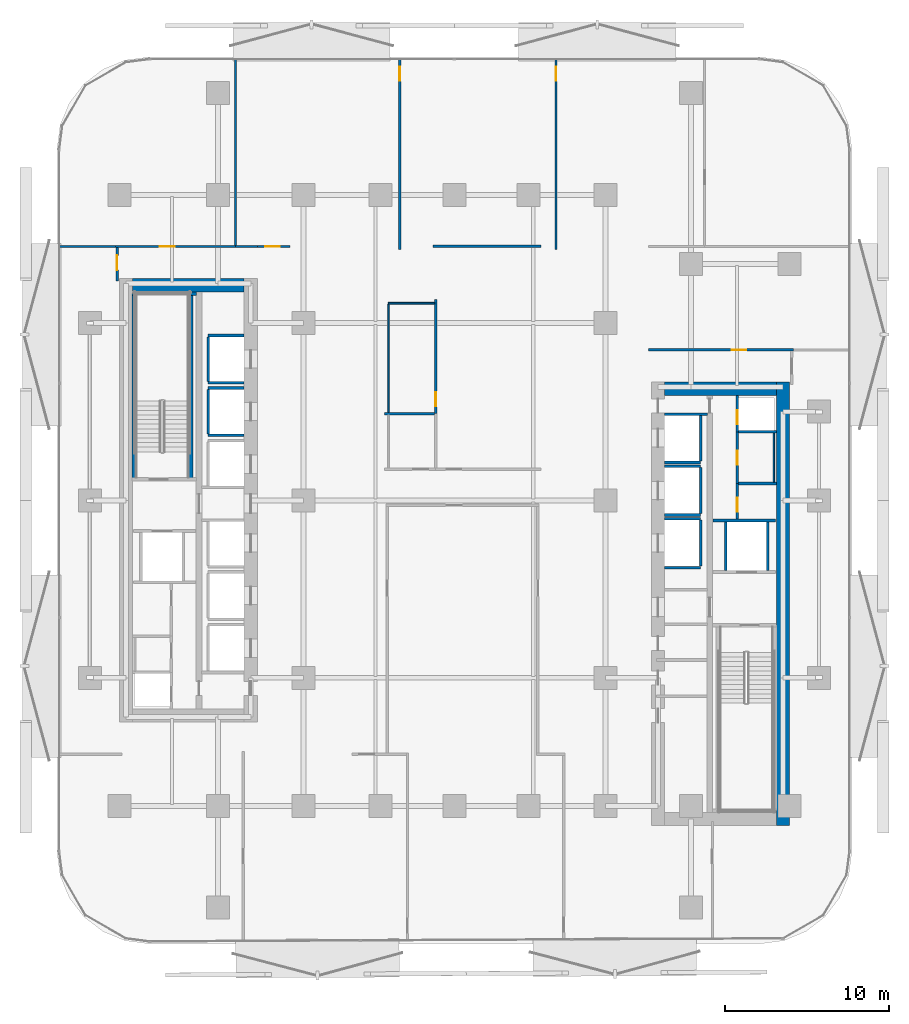
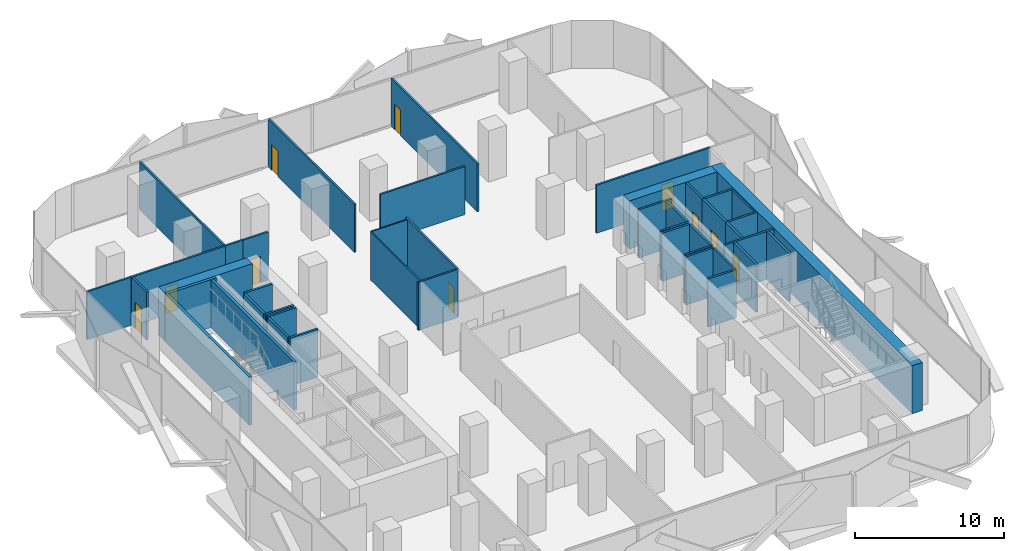
# One storey, part 5 of 15: 44 walls, 10 doors, 10 openings.
"""IFC4 building model written with IfcOpenShell, lengths in metres."""

from ifc_helpers import new_model, si_unit, direction, frame, frame_2d, origin, place, context, subcontext, project, spatial, rectangle, extrude, material, layer, layer_set, type_object, element, fill, save


model = new_model("IFC4")

# Units and contexts
model_context = context("Model", 3, precision=1e-05, world=origin(), true_north=direction((0.0, 1.0)))
body_context = subcontext(model_context, "Body", "Model", "MODEL_VIEW")
ifc_project = project(units=[si_unit("LENGTHUNIT", "METRE"), si_unit("AREAUNIT", "SQUARE_METRE"), si_unit("VOLUMEUNIT", "CUBIC_METRE"), si_unit("PLANEANGLEUNIT", "RADIAN"), si_unit("MASSUNIT", "GRAM", prefix="KILO")], contexts=[model_context])

# Site, building, storey
site_placement = place(None, origin())
site = spatial("IfcSite", under=ifc_project, at=site_placement, CompositionType="ELEMENT")
building_placement = place(site_placement, origin())
building = spatial("IfcBuilding", under=site, at=building_placement, Name="Khairoan Windgate Tower", CompositionType="ELEMENT")
storey_placement = place(building_placement, frame((0.0, 0.0, 76.39990234375)))
storey = spatial("IfcBuildingStorey", under=building, at=storey_placement, Name="L18", CompositionType="ELEMENT", Elevation=76.39990234375)

# Walls
ifc_material_1 = material(Name="Moisture-Resistant Gypsum Partition", Category="gypsum")
ifc_layer_1 = layer(ifc_material_1, 0.10009765625, Name="Moisture-Resistant Gypsum Partition")
ifc_layer_set_1 = layer_set([ifc_layer_1], Name="Moisture-Resistant Gypsum Partition")
wall_type_1 = type_object("IfcWallType", Name="Bathroom Wet-Area Partition Wall", PredefinedType="PARTITIONING", material=ifc_layer_set_1)
wall_1_placement = place(storey_placement, frame((19.449951171875, 4.090087890625, 0.0), z_axis=(0.0, 0.0, 1.0), x_axis=(0.0, -1.0, 0.0)))
element("IfcWall", 1, at=wall_1_placement, inside=storey, type_object=wall_type_1, Name="L18 Wet Room Side Wall 044", PredefinedType="PARTITIONING", context=body_context, shape_type="SweptSolid", body=[
    extrude(rectangle(XDim=2.97998046875, YDim=0.10009765625, at=frame_2d((1.489990234375, 0.0))), origin(), (0.0, 0.0, 1.0), 3.940185546875),
])
wall_2_placement = place(storey_placement, frame((-4.02001953125, 12.0, 0.0), z_axis=(0.0, 0.0, 1.0), x_axis=(1.0, 0.0, 0.0)))
element("IfcWall", 2, at=wall_2_placement, inside=storey, type_object=wall_type_1, Name="L18 Wet Room Side Wall 046", PredefinedType="PARTITIONING", context=body_context, shape_type="SweptSolid", body=[
    extrude(rectangle(XDim=2.81005859375, YDim=0.10009765625, at=frame_2d((1.405029296875, 0.0))), origin(), (0.0, 0.0, 1.0), 3.940185546875),
])
wall_3_placement = place(storey_placement, frame((-4.02001953125, 5.35009765625, 0.0), z_axis=(0.0, 0.0, 1.0), x_axis=(0.0, 1.0, 0.0)))
element("IfcWall", 3, at=wall_3_placement, inside=storey, type_object=wall_type_1, Name="L18 Wet Room Side Wall 047", PredefinedType="PARTITIONING", context=body_context, shape_type="SweptSolid", body=[
    extrude(rectangle(XDim=6.599853515625, YDim=0.10009765625, at=frame_2d((3.2998046875, 0.0))), origin(), (0.0, 0.0, 1.0), 3.940185546875),
])
ifc_material_2 = material(Name="Concrete C40/50", Category="concrete")
ifc_layer_2 = layer(ifc_material_2, 0.159912109375, Name="Concrete C40/50")
ifc_layer_set_2 = layer_set([ifc_layer_2], Name="Concrete C40/50")
wall_type_2 = type_object("IfcWallType", Name="Core and Hoistway Enclosure Wall", PredefinedType="STANDARD", material=ifc_layer_set_2)
for number, where, z_axis, x_axis, name in (
    (4, (-14.989990234375, 7.159912109375, 0.0), (0.0, 0.0, 1.0), (1.0, 0.0, 0.0), "L18 Lift PL1 Hoistway Divider S"),
    (5, (-14.989990234375, 10.0400390625, 0.0), (0.0, 0.0, 1.0), (1.0, 0.0, 0.0), "L18 Lift PL1 Hoistway Divider N"),
):
    element("IfcWall", number, at=place(storey_placement, frame(where, z_axis=z_axis, x_axis=x_axis)), inside=storey, type_object=wall_type_2, Name=name, PredefinedType="STANDARD", context=body_context, shape_type="SweptSolid", body=[
        extrude(rectangle(XDim=2.18994140625, YDim=0.159912109375, at=frame_2d((1.094970703125, 0.0))), origin(), (0.0, 0.0, 1.0), 3.940185546875),
    ])
wall_4_placement = place(storey_placement, frame((-14.989990234375, 7.25, 0.0), z_axis=(0.0, 0.0, 1.0), x_axis=(0.0, 1.0, 0.0)))
element("IfcWall", 6, at=wall_4_placement, inside=storey, type_object=wall_type_2, Name="L18 Lift PL1 Hoistway Back Wall", PredefinedType="STANDARD", context=body_context, shape_type="SweptSolid", body=[
    extrude(rectangle(XDim=2.699951171875, YDim=0.159912109375, at=frame_2d((1.35009765625, 0.0))), origin(), (0.0, 0.0, 1.0), 3.940185546875),
])
for number, where, z_axis, x_axis, name in (
    (7, (-14.989990234375, 3.9599609375, 0.0), (0.0, 0.0, 1.0), (1.0, 0.0, 0.0), "L18 Lift PL2 Hoistway Divider S"),
    (8, (-14.989990234375, 6.840087890625, 0.0), (0.0, 0.0, 1.0), (1.0, 0.0, 0.0), "L18 Lift PL2 Hoistway Divider N"),
):
    element("IfcWall", number, at=place(storey_placement, frame(where, z_axis=z_axis, x_axis=x_axis)), inside=storey, type_object=wall_type_2, Name=name, PredefinedType="STANDARD", context=body_context, shape_type="SweptSolid", body=[
        extrude(rectangle(XDim=2.18994140625, YDim=0.159912109375, at=frame_2d((1.094970703125, 0.0))), origin(), (0.0, 0.0, 1.0), 3.940185546875),
    ])
wall_5_placement = place(storey_placement, frame((-14.989990234375, 4.050048828125, 0.0), z_axis=(0.0, 0.0, 1.0), x_axis=(0.0, 1.0, 0.0)))
element("IfcWall", 9, at=wall_5_placement, inside=storey, type_object=wall_type_2, Name="L18 Lift PL2 Hoistway Back Wall", PredefinedType="STANDARD", context=body_context, shape_type="SweptSolid", body=[
    extrude(rectangle(XDim=2.699951171875, YDim=0.159912109375, at=frame_2d((1.35009765625, 0.0))), origin(), (0.0, 0.0, 1.0), 3.940185546875),
])
wall_6_placement = place(storey_placement, frame((12.800048828125, 2.31005859375, 0.0), z_axis=(0.0, 0.0, 1.0), x_axis=(1.0, 0.0, 0.0)))
element("IfcWall", 10, at=wall_6_placement, inside=storey, type_object=wall_type_2, Name="L18 Lift PL7 Hoistway Divider S", PredefinedType="STANDARD", context=body_context, shape_type="SweptSolid", body=[
    extrude(rectangle(XDim=2.18994140625, YDim=0.159912109375, at=frame_2d((1.094970703125, 0.0))), origin(), (0.0, 0.0, 1.0), 3.940185546875),
])
wall_7_placement = place(storey_placement, frame((14.989990234375, 2.39990234375, 0.0), z_axis=(0.0, 0.0, 1.0), x_axis=(0.0, 1.0, 0.0)))
element("IfcWall", 11, at=wall_7_placement, inside=storey, type_object=wall_type_2, Name="L18 Lift PL7 Hoistway Back Wall", PredefinedType="STANDARD", context=body_context, shape_type="SweptSolid", body=[
    extrude(rectangle(XDim=2.800048828125, YDim=0.159912109375, at=frame_2d((1.39990234375, 0.0))), origin(), (0.0, 0.0, 1.0), 3.940185546875),
])
for number, where, z_axis, x_axis, name in (
    (12, (12.800048828125, -0.889892578125, 0.0), (0.0, 0.0, 1.0), (1.0, 0.0, 0.0), "L18 Lift PL8 Hoistway Divider S"),
    (13, (12.800048828125, 2.090087890625, 0.0), (0.0, 0.0, 1.0), (1.0, 0.0, 0.0), "L18 Lift PL8 Hoistway Divider N"),
):
    element("IfcWall", number, at=place(storey_placement, frame(where, z_axis=z_axis, x_axis=x_axis)), inside=storey, type_object=wall_type_2, Name=name, PredefinedType="STANDARD", context=body_context, shape_type="SweptSolid", body=[
        extrude(rectangle(XDim=2.18994140625, YDim=0.159912109375, at=frame_2d((1.094970703125, 0.0))), origin(), (0.0, 0.0, 1.0), 3.940185546875),
    ])
wall_8_placement = place(storey_placement, frame((14.989990234375, -0.800048828125, 0.0), z_axis=(0.0, 0.0, 1.0), x_axis=(0.0, 1.0, 0.0)))
element("IfcWall", 14, at=wall_8_placement, inside=storey, type_object=wall_type_2, Name="L18 Lift PL8 Hoistway Back Wall", PredefinedType="STANDARD", context=body_context, shape_type="SweptSolid", body=[
    extrude(rectangle(XDim=2.800048828125, YDim=0.159912109375, at=frame_2d((1.39990234375, 0.0))), origin(), (0.0, 0.0, 1.0), 3.940185546875),
])
for number, where, z_axis, x_axis, name in (
    (15, (12.800048828125, -4.090087890625, 0.0), (0.0, 0.0, 1.0), (1.0, 0.0, 0.0), "L18 Lift PL9 Hoistway Divider S"),
    (16, (12.800048828125, -1.110107421875, 0.0), (0.0, 0.0, 1.0), (1.0, 0.0, 0.0), "L18 Lift PL9 Hoistway Divider N"),
):
    element("IfcWall", number, at=place(storey_placement, frame(where, z_axis=z_axis, x_axis=x_axis)), inside=storey, type_object=wall_type_2, Name=name, PredefinedType="STANDARD", context=body_context, shape_type="SweptSolid", body=[
        extrude(rectangle(XDim=2.18994140625, YDim=0.159912109375, at=frame_2d((1.094970703125, 0.0))), origin(), (0.0, 0.0, 1.0), 3.940185546875),
    ])
wall_9_placement = place(storey_placement, frame((14.989990234375, -4.0, 0.0), z_axis=(0.0, 0.0, 1.0), x_axis=(0.0, 1.0, 0.0)))
element("IfcWall", 17, at=wall_9_placement, inside=storey, type_object=wall_type_2, Name="L18 Lift PL9 Hoistway Back Wall", PredefinedType="STANDARD", context=body_context, shape_type="SweptSolid", body=[
    extrude(rectangle(XDim=2.800048828125, YDim=0.159912109375, at=frame_2d((1.39990234375, 0.0))), origin(), (0.0, 0.0, 1.0), 3.940185546875),
])
wall_10_placement = place(storey_placement, frame((15.75, -1.219970703125, 0.0), z_axis=(0.0, 0.0, 1.0), x_axis=(1.0, 0.0, 0.0)))
element("IfcWall", 18, at=wall_10_placement, inside=storey, type_object=wall_type_2, Name="L18 Core Shaft Wall SW-FL1T-L18", PredefinedType="STANDARD", context=body_context, shape_type="SweptSolid", body=[
    extrude(rectangle(XDim=3.800048828125, YDim=0.159912109375, at=frame_2d((1.89990234375, 0.0))), origin(), (0.0, 0.0, 1.0), 3.940185546875),
])
for number, where, z_axis, x_axis, name in (
    (19, (16.52001953125, -4.280029296875, 0.0), (0.0, 0.0, 1.0), (0.0, 1.0, 0.0), "L18 Core Shaft Wall SW-FL1W-L18"),
    (20, (19.080078125, -4.280029296875, 0.0), (0.0, 0.0, 1.0), (0.0, 1.0, 0.0), "L18 Core Shaft Wall SW-FL1E-L18"),
):
    element("IfcWall", number, at=place(storey_placement, frame(where, z_axis=z_axis, x_axis=x_axis)), inside=storey, type_object=wall_type_2, Name=name, PredefinedType="STANDARD", context=body_context, shape_type="SweptSolid", body=[
        extrude(rectangle(XDim=2.97998046875, YDim=0.159912109375, at=frame_2d((1.489990234375, 0.0))), origin(), (0.0, 0.0, 1.0), 3.940185546875),
    ])
wall_11_placement = place(storey_placement, frame((12.800048828125, 5.25, 0.0), z_axis=(0.0, 0.0, 1.0), x_axis=(1.0, 0.0, 0.0)))
element("IfcWall", 21, at=wall_11_placement, inside=storey, type_object=wall_type_2, Name="L18 Core Shaft Wall SW-ESV-L18", PredefinedType="STANDARD", context=body_context, shape_type="SweptSolid", body=[
    extrude(rectangle(XDim=2.599853515625, YDim=0.159912109375, at=frame_2d((1.2998046875, 0.0))), origin(), (0.0, 0.0, 1.0), 3.940185546875),
])
ifc_material_3 = material(Name="Acoustic Fire-Rated Gypsum Partition", Category="gypsum")
ifc_layer_3 = layer(ifc_material_3, 0.139892578125, Name="Acoustic Fire-Rated Gypsum Partition")
ifc_layer_set_3 = layer_set([ifc_layer_3], Name="Acoustic Fire-Rated Gypsum Partition")
wall_type_3 = type_object("IfcWallType", Name="Inter-Tenancy Compartment Wall", PredefinedType="PARTITIONING", material=ifc_layer_set_3)
wall_12_placement = place(storey_placement, frame((-24.054931640625, 15.4599609375, 0.0), z_axis=(0.0, 0.0, 1.0), x_axis=(1.0, 0.0, 0.0)))
element("IfcWall", 22, at=wall_12_placement, inside=storey, type_object=wall_type_3, Name="L18 Interior Partition 026", PredefinedType="PARTITIONING", context=body_context, shape_type="SweptSolid", body=[
    extrude(rectangle(XDim=3.4150390625, YDim=0.139892578125, at=frame_2d((1.70751953125, 0.0))), origin(), (0.0, 0.0, 1.0), 3.940185546875),
])
wall_13_placement = place(storey_placement, frame((-13.327880859375, 15.534912109375, 0.0), z_axis=(0.0, 0.0, 1.0), x_axis=(0.0, 1.0, 0.0)))
element("IfcWall", 23, at=wall_13_placement, inside=storey, type_object=wall_type_3, Name="L18 Interior Partition 031", PredefinedType="PARTITIONING", context=body_context, shape_type="SweptSolid", body=[
    extrude(rectangle(XDim=11.320068359375, YDim=0.139892578125, at=frame_2d((5.66015625, 0.0))), origin(), (0.0, 0.0, 1.0), 3.940185546875),
])

# Wall, opening, door
wall_14_placement = place(storey_placement, frame((-3.33203125, 15.280029296875, 0.0), z_axis=(0.0, 0.0, 1.0), x_axis=(0.0, 1.0, 0.0)))
wall_14 = element("IfcWall", 24, at=wall_14_placement, inside=storey, type_object=wall_type_3, Name="L18 Interior Partition 032", PredefinedType="PARTITIONING", context=body_context, shape_type="SweptSolid", body=[
    extrude(rectangle(XDim=11.574951171875, YDim=0.139892578125, at=frame_2d((5.78759765625, 0.0))), origin(), (0.0, 0.0, 1.0), 3.940185546875),
])
opening_1_placement = place(wall_14_placement, frame((10.264892578125, 0.0, 0.0)))
opening_1 = element("IfcOpeningElement", 25, at=opening_1_placement, cuts=wall_14, Name="Opening FD-SRV", PredefinedType="OPENING", context=body_context, shape_type="SweptSolid", body=[
    extrude(rectangle(XDim=0.85009765625, YDim=2.10009765625, at=frame_2d((0.425048828125, 1.050048828125))), frame((0.0, 0.079833984375, 0.0), z_axis=(0.0, -1.0, 0.0), x_axis=(1.0, 0.0, 0.0)), (0.0, 0.0, 1.0), 0.159912109375),
])
ifc_material_4 = material(Name="Steel S355", Category="steel")
door_type_1 = type_object("IfcDoorType", Name="Core Service and Riser Fire Door FD-SRV 850x2100", OperationType="NOTDEFINED", PredefinedType="DOOR", material=ifc_material_4)
door_1_placement = place(opening_1_placement, origin())
door_1 = element("IfcDoor", 26, at=door_1_placement, inside=storey, type_object=door_type_1, Name="L18 L18-42-L18-43 Door", OperationType="SINGLE_SWING_LEFT", OverallHeight=2.10009765625, OverallWidth=0.85009765625, PredefinedType="DOOR", context=body_context, shape_type="SweptSolid", body=[
    extrude(rectangle(XDim=0.85009765625, YDim=2.10009765625, at=frame_2d((0.425048828125, 1.050048828125))), frame((0.0, 0.02490234375, 0.0), z_axis=(0.0, -1.0, 0.0), x_axis=(1.0, 0.0, 0.0)), (0.0, 0.0, 1.0), 0.050048828125),
])
fill(opening_1, door_1)

wall_15_placement = place(storey_placement, frame((6.18798828125, 15.280029296875, 0.0), z_axis=(0.0, 0.0, 1.0), x_axis=(0.0, 1.0, 0.0)))
wall_15 = element("IfcWall", 27, at=wall_15_placement, inside=storey, type_object=wall_type_3, Name="L18 Interior Partition 033", PredefinedType="PARTITIONING", context=body_context, shape_type="SweptSolid", body=[
    extrude(rectangle(XDim=11.574951171875, YDim=0.139892578125, at=frame_2d((5.78759765625, 0.0))), origin(), (0.0, 0.0, 1.0), 3.940185546875),
])
opening_2_placement = place(wall_15_placement, frame((10.264892578125, 0.0, 0.0)))
opening_2 = element("IfcOpeningElement", 28, at=opening_2_placement, cuts=wall_15, Name="Opening FD-SRV", PredefinedType="OPENING", context=body_context, shape_type="SweptSolid", body=[
    extrude(rectangle(XDim=0.85009765625, YDim=2.10009765625, at=frame_2d((0.425048828125, 1.050048828125))), frame((0.0, 0.079833984375, 0.0), z_axis=(0.0, -1.0, 0.0), x_axis=(1.0, 0.0, 0.0)), (0.0, 0.0, 1.0), 0.159912109375),
])
door_2_placement = place(opening_2_placement, origin())
door_2 = element("IfcDoor", 29, at=door_2_placement, inside=storey, type_object=door_type_1, Name="L18 L18-43-L18-44 Door", OperationType="SINGLE_SWING_RIGHT", OverallHeight=2.10009765625, OverallWidth=0.85009765625, PredefinedType="DOOR", context=body_context, shape_type="SweptSolid", body=[
    extrude(rectangle(XDim=0.85009765625, YDim=2.10009765625, at=frame_2d((0.425048828125, 1.050048828125))), frame((0.0, 0.02490234375, 0.0), z_axis=(0.0, -1.0, 0.0), x_axis=(1.0, 0.0, 0.0)), (0.0, 0.0, 1.0), 0.050048828125),
])
fill(opening_2, door_2)

# Walls
wall_16_placement = place(storey_placement, frame((-1.300048828125, 15.47998046875, 0.0), z_axis=(0.0, 0.0, 1.0), x_axis=(1.0, 0.0, 0.0)))
element("IfcWall", 30, at=wall_16_placement, inside=storey, type_object=wall_type_3, Name="L18 Interior Partition 034", PredefinedType="PARTITIONING", context=body_context, shape_type="SweptSolid", body=[
    extrude(rectangle(XDim=6.56005859375, YDim=0.139892578125, at=frame_2d((3.280029296875, 0.0))), origin(), (0.0, 0.0, 1.0), 3.940185546875),
])
wall_17_placement = place(storey_placement, frame((-4.260009765625, 5.280029296875, 0.0), z_axis=(0.0, 0.0, 1.0), x_axis=(1.0, 0.0, 0.0)))
element("IfcWall", 31, at=wall_17_placement, inside=storey, type_object=wall_type_3, Name="L18 Interior Partition 040", PredefinedType="PARTITIONING", context=body_context, shape_type="SweptSolid", body=[
    extrude(rectangle(XDim=3.050048828125, YDim=0.139892578125, at=frame_2d((1.52490234375, 0.0))), origin(), (0.0, 0.0, 1.0), 3.940185546875),
])

# Wall, opening, door
wall_18_placement = place(storey_placement, frame((-1.139892578125, 5.280029296875, 0.0), z_axis=(0.0, 0.0, 1.0), x_axis=(0.0, 1.0, 0.0)))
wall_18 = element("IfcWall", 32, at=wall_18_placement, inside=storey, type_object=wall_type_3, Name="L18 Interior Partition 042", PredefinedType="PARTITIONING", context=body_context, shape_type="SweptSolid", body=[
    extrude(rectangle(XDim=6.9599609375, YDim=0.139892578125, at=frame_2d((3.47998046875, 0.0))), origin(), (0.0, 0.0, 1.0), 3.940185546875),
])
opening_3_placement = place(wall_18_placement, frame((0.4599609375, 0.0, 0.0)))
opening_3 = element("IfcOpeningElement", 33, at=opening_3_placement, cuts=wall_18, Name="Opening FD-SRV", PredefinedType="OPENING", context=body_context, shape_type="SweptSolid", body=[
    extrude(rectangle(XDim=0.85009765625, YDim=2.10009765625, at=frame_2d((0.425048828125, 1.050048828125))), frame((0.0, 0.079833984375, 0.0), z_axis=(0.0, -1.0, 0.0), x_axis=(1.0, 0.0, 0.0)), (0.0, 0.0, 1.0), 0.159912109375),
])
door_3_placement = place(opening_3_placement, origin())
door_3 = element("IfcDoor", 34, at=door_3_placement, inside=storey, type_object=door_type_1, Name="L18 L18-52-L18-53 Door", OperationType="SINGLE_SWING_RIGHT", OverallHeight=2.10009765625, OverallWidth=0.85009765625, PredefinedType="DOOR", context=body_context, shape_type="SweptSolid", body=[
    extrude(rectangle(XDim=0.85009765625, YDim=2.10009765625, at=frame_2d((0.425048828125, 1.050048828125))), frame((0.0, 0.02490234375, 0.0), z_axis=(0.0, -1.0, 0.0), x_axis=(1.0, 0.0, 0.0)), (0.0, 0.0, 1.0), 0.050048828125),
])
fill(opening_3, door_3)

ifc_material_5 = material(Name="Concrete C40/50", Category="concrete")
ifc_layer_4 = layer(ifc_material_5, 0.159912109375, Name="Concrete C40/50")
ifc_layer_set_4 = layer_set([ifc_layer_4], Name="Concrete C40/50")
wall_type_4 = type_object("IfcWallType", Name="Plant and Refuge Compartment Wall", PredefinedType="PARTITIONING", material=ifc_layer_set_4)
wall_19_placement = place(storey_placement, frame((17.22998046875, 4.169921875, 0.0), z_axis=(0.0, 0.0, 1.0), x_axis=(0.0, 1.0, 0.0)))
wall_19 = element("IfcWall", 35, at=wall_19_placement, inside=storey, type_object=wall_type_4, Name="L18 Interior Partition 006", PredefinedType="PARTITIONING", context=body_context, shape_type="SweptSolid", body=[
    extrude(rectangle(XDim=2.22998046875, YDim=0.159912109375, at=frame_2d((1.114990234375, 0.0))), origin(), (0.0, 0.0, 1.0), 3.940185546875),
])
opening_4_placement = place(wall_19_placement, frame((0.4599609375, 0.0, 0.0)))
opening_4 = element("IfcOpeningElement", 36, at=opening_4_placement, cuts=wall_19, Name="Opening FD-SRV", PredefinedType="OPENING", context=body_context, shape_type="SweptSolid", body=[
    extrude(rectangle(XDim=0.85009765625, YDim=2.10009765625, at=frame_2d((0.425048828125, 1.050048828125))), frame((0.0, 0.08984375, 0.0), z_axis=(0.0, -1.0, 0.0), x_axis=(1.0, 0.0, 0.0)), (0.0, 0.0, 1.0), 0.179931640625),
])
door_4_placement = place(opening_4_placement, origin())
door_4 = element("IfcDoor", 37, at=door_4_placement, inside=storey, type_object=door_type_1, Name="L18 L18-19-L18-20 Door", OperationType="SINGLE_SWING_LEFT", OverallHeight=2.10009765625, OverallWidth=0.85009765625, PredefinedType="DOOR", context=body_context, shape_type="SweptSolid", body=[
    extrude(rectangle(XDim=0.85009765625, YDim=2.10009765625, at=frame_2d((0.425048828125, 1.050048828125))), frame((0.0, 0.02490234375, 0.0), z_axis=(0.0, -1.0, 0.0), x_axis=(1.0, 0.0, 0.0)), (0.0, 0.0, 1.0), 0.050048828125),
])
fill(opening_4, door_4)

wall_20_placement = place(storey_placement, frame((17.22998046875, -1.139892578125, 0.0), z_axis=(0.0, 0.0, 1.0), x_axis=(0.0, 1.0, 0.0)))
wall_20 = element("IfcWall", 38, at=wall_20_placement, inside=storey, type_object=wall_type_4, Name="L18 Interior Partition 007", PredefinedType="PARTITIONING", context=body_context, shape_type="SweptSolid", body=[
    extrude(rectangle(XDim=2.169921875, YDim=0.159912109375, at=frame_2d((1.0849609375, 0.0))), origin(), (0.0, 0.0, 1.0), 3.940185546875),
])
opening_5_placement = place(wall_20_placement, frame((0.4599609375, 0.0, 0.0)))
opening_5 = element("IfcOpeningElement", 39, at=opening_5_placement, cuts=wall_20, Name="Opening FD-SRV", PredefinedType="OPENING", context=body_context, shape_type="SweptSolid", body=[
    extrude(rectangle(XDim=0.85009765625, YDim=2.10009765625, at=frame_2d((0.425048828125, 1.050048828125))), frame((0.0, 0.08984375, 0.0), z_axis=(0.0, -1.0, 0.0), x_axis=(1.0, 0.0, 0.0)), (0.0, 0.0, 1.0), 0.179931640625),
])
door_5_placement = place(opening_5_placement, origin())
door_5 = element("IfcDoor", 40, at=door_5_placement, inside=storey, type_object=door_type_1, Name="L18 L18-19-L18-21 Door", OperationType="SINGLE_SWING_RIGHT", OverallHeight=2.10009765625, OverallWidth=0.85009765625, PredefinedType="DOOR", context=body_context, shape_type="SweptSolid", body=[
    extrude(rectangle(XDim=0.85009765625, YDim=2.10009765625, at=frame_2d((0.425048828125, 1.050048828125))), frame((0.0, 0.02490234375, 0.0), z_axis=(0.0, -1.0, 0.0), x_axis=(1.0, 0.0, 0.0)), (0.0, 0.0, 1.0), 0.050048828125),
])
fill(opening_5, door_5)

wall_21_placement = place(storey_placement, frame((17.22998046875, 1.030029296875, 0.0), z_axis=(0.0, 0.0, 1.0), x_axis=(0.0, 1.0, 0.0)))
wall_21 = element("IfcWall", 41, at=wall_21_placement, inside=storey, type_object=wall_type_4, Name="L18 Interior Partition 008", PredefinedType="PARTITIONING", context=body_context, shape_type="SweptSolid", body=[
    extrude(rectangle(XDim=3.139892578125, YDim=0.159912109375, at=frame_2d((1.56982421875, 0.0))), origin(), (0.0, 0.0, 1.0), 3.940185546875),
])
opening_6_placement = place(wall_21_placement, frame((1.14501953125, 0.0, 0.0)))
opening_6 = element("IfcOpeningElement", 42, at=opening_6_placement, cuts=wall_21, Name="Opening FD-SRV", PredefinedType="OPENING", context=body_context, shape_type="SweptSolid", body=[
    extrude(rectangle(XDim=0.85009765625, YDim=2.10009765625, at=frame_2d((0.425048828125, 1.050048828125))), frame((0.0, 0.08984375, 0.0), z_axis=(0.0, -1.0, 0.0), x_axis=(1.0, 0.0, 0.0)), (0.0, 0.0, 1.0), 0.179931640625),
])
door_6_placement = place(opening_6_placement, origin())
door_6 = element("IfcDoor", 43, at=door_6_placement, inside=storey, type_object=door_type_1, Name="L18 L18-19-L18-22 Door", OperationType="SINGLE_SWING_LEFT", OverallHeight=2.10009765625, OverallWidth=0.85009765625, PredefinedType="DOOR", context=body_context, shape_type="SweptSolid", body=[
    extrude(rectangle(XDim=0.85009765625, YDim=2.10009765625, at=frame_2d((0.425048828125, 1.050048828125))), frame((0.0, 0.02490234375, 0.0), z_axis=(0.0, -1.0, 0.0), x_axis=(1.0, 0.0, 0.0)), (0.0, 0.0, 1.0), 0.050048828125),
])
fill(opening_6, door_6)

# Walls
for number, where, z_axis, x_axis, name in (
    (44, (17.31005859375, 4.169921875, 0.0), (0.0, 0.0, 1.0), (1.0, 0.0, 0.0), "L18 Interior Partition 009"),
    (45, (17.31005859375, 1.030029296875, 0.0), (0.0, 0.0, 1.0), (1.0, 0.0, 0.0), "L18 Interior Partition 010"),
):
    element("IfcWall", number, at=place(storey_placement, frame(where, z_axis=z_axis, x_axis=x_axis)), inside=storey, type_object=wall_type_4, Name=name, PredefinedType="PARTITIONING", context=body_context, shape_type="SweptSolid", body=[
        extrude(rectangle(XDim=2.2900390625, YDim=0.159912109375, at=frame_2d((1.14501953125, 0.0))), origin(), (0.0, 0.0, 1.0), 3.940185546875),
    ])

# Wall, opening, door
ifc_material_6 = material(Name="Acoustic Fire-Rated Gypsum Partition", Category="gypsum")
ifc_layer_5 = layer(ifc_material_6, 0.14990234375, Name="Acoustic Fire-Rated Gypsum Partition")
ifc_layer_set_5 = layer_set([ifc_layer_5], Name="Acoustic Fire-Rated Gypsum Partition")
wall_type_5 = type_object("IfcWallType", Name="Rated Corridor Partition Wall", PredefinedType="PARTITIONING", material=ifc_layer_set_5)
wall_22_placement = place(storey_placement, frame((-11.989990234375, 15.4599609375, 0.0), z_axis=(0.0, 0.0, 1.0), x_axis=(1.0, 0.0, 0.0)))
wall_22 = element("IfcWall", 46, at=wall_22_placement, inside=storey, type_object=wall_type_5, Name="L18 Interior Partition 013", PredefinedType="PARTITIONING", context=body_context, shape_type="SweptSolid", body=[
    extrude(rectangle(XDim=1.97998046875, YDim=0.14990234375, at=frame_2d((0.989990234375, 0.0))), origin(), (0.0, 0.0, 1.0), 3.940185546875),
])
opening_7_placement = place(wall_22_placement, frame((0.4599609375, 0.0, 0.0)))
opening_7 = element("IfcOpeningElement", 47, at=opening_7_placement, cuts=wall_22, Name="Opening FD-ENT", PredefinedType="OPENING", context=body_context, shape_type="SweptSolid", body=[
    extrude(rectangle(XDim=0.89990234375, YDim=2.14990234375, at=frame_2d((0.449951171875, 1.074951171875))), frame((0.0, 0.0849609375, 0.0), z_axis=(0.0, -1.0, 0.0), x_axis=(1.0, 0.0, 0.0)), (0.0, 0.0, 1.0), 0.169921875),
])
ifc_material_7 = material(Name="Timber Fire-Rated Core", Category="wood")
door_type_2 = type_object("IfcDoorType", Name="Unit and Office Fire Entrance Door FD-ENT 900x2150", OperationType="NOTDEFINED", PredefinedType="DOOR", material=ifc_material_7)
door_7_placement = place(opening_7_placement, origin())
door_7 = element("IfcDoor", 48, at=door_7_placement, inside=storey, type_object=door_type_2, Name="L18 L18-31-L18-42 Door", OperationType="SINGLE_SWING_RIGHT", OverallHeight=2.14990234375, OverallWidth=0.89990234375, PredefinedType="DOOR", context=body_context, shape_type="SweptSolid", body=[
    extrude(rectangle(XDim=0.89990234375, YDim=2.14990234375, at=frame_2d((0.449951171875, 1.074951171875))), frame((0.0, 0.02490234375, 0.0), z_axis=(0.0, -1.0, 0.0), x_axis=(1.0, 0.0, 0.0)), (0.0, 0.0, 1.0), 0.050048828125),
])
fill(opening_7, door_7)

wall_23_placement = place(storey_placement, frame((-20.5400390625, 13.360107421875, 0.0), z_axis=(0.0, 0.0, 1.0), x_axis=(0.0, 1.0, 0.0)))
wall_23 = element("IfcWall", 49, at=wall_23_placement, inside=storey, type_object=wall_type_5, Name="L18 Interior Partition 021", PredefinedType="PARTITIONING", context=body_context, shape_type="SweptSolid", body=[
    extrude(rectangle(XDim=2.02490234375, YDim=0.14990234375, at=frame_2d((1.012451171875, 0.0))), origin(), (0.0, 0.0, 1.0), 3.940185546875),
])
opening_8_placement = place(wall_23_placement, frame((0.6650390625, 0.0, 0.0)))
opening_8 = element("IfcOpeningElement", 50, at=opening_8_placement, cuts=wall_23, Name="Opening FD-ENT", PredefinedType="OPENING", context=body_context, shape_type="SweptSolid", body=[
    extrude(rectangle(XDim=0.89990234375, YDim=2.14990234375, at=frame_2d((0.449951171875, 1.074951171875))), frame((0.0, 0.0849609375, 0.0), z_axis=(0.0, -1.0, 0.0), x_axis=(1.0, 0.0, 0.0)), (0.0, 0.0, 1.0), 0.169921875),
])
door_8_placement = place(opening_8_placement, origin())
door_8 = element("IfcDoor", 51, at=door_8_placement, inside=storey, type_object=door_type_2, Name="L18 L18-36-L18-38 Door", OperationType="SINGLE_SWING_RIGHT", OverallHeight=2.14990234375, OverallWidth=0.89990234375, PredefinedType="DOOR", context=body_context, shape_type="SweptSolid", body=[
    extrude(rectangle(XDim=0.89990234375, YDim=2.14990234375, at=frame_2d((0.449951171875, 1.074951171875))), frame((0.0, 0.02490234375, 0.0), z_axis=(0.0, -1.0, 0.0), x_axis=(1.0, 0.0, 0.0)), (0.0, 0.0, 1.0), 0.050048828125),
])
fill(opening_8, door_8)

wall_24_placement = place(storey_placement, frame((-20.639892578125, 15.4599609375, 0.0), z_axis=(0.0, 0.0, 1.0), x_axis=(1.0, 0.0, 0.0)))
wall_24 = element("IfcWall", 52, at=wall_24_placement, inside=storey, type_object=wall_type_5, Name="L18 Interior Partition 022", PredefinedType="PARTITIONING", context=body_context, shape_type="SweptSolid", body=[
    extrude(rectangle(XDim=7.31201171875, YDim=0.14990234375, at=frame_2d((3.656005859375, 0.0))), origin(), (0.0, 0.0, 1.0), 3.940185546875),
])
opening_9_placement = place(wall_24_placement, frame((2.697509765625, 0.0, 0.0)))
opening_9 = element("IfcOpeningElement", 53, at=opening_9_placement, cuts=wall_24, Name="Opening FD-ENT", PredefinedType="OPENING", context=body_context, shape_type="SweptSolid", body=[
    extrude(rectangle(XDim=0.89990234375, YDim=2.14990234375, at=frame_2d((0.449951171875, 1.074951171875))), frame((0.0, 0.0849609375, 0.0), z_axis=(0.0, -1.0, 0.0), x_axis=(1.0, 0.0, 0.0)), (0.0, 0.0, 1.0), 0.169921875),
])
door_9_placement = place(opening_9_placement, origin())
door_9 = element("IfcDoor", 54, at=door_9_placement, inside=storey, type_object=door_type_2, Name="L18 L18-36-L18-41 Door", OperationType="SINGLE_SWING_LEFT", OverallHeight=2.14990234375, OverallWidth=0.89990234375, PredefinedType="DOOR", context=body_context, shape_type="SweptSolid", body=[
    extrude(rectangle(XDim=0.89990234375, YDim=2.14990234375, at=frame_2d((0.449951171875, 1.074951171875))), frame((0.0, 0.02490234375, 0.0), z_axis=(0.0, -1.0, 0.0), x_axis=(1.0, 0.0, 0.0)), (0.0, 0.0, 1.0), 0.050048828125),
])
fill(opening_9, door_9)

# Wall
wall_25_placement = place(storey_placement, frame((-13.327880859375, 15.4599609375, 0.0), z_axis=(0.0, 0.0, 1.0), x_axis=(1.0, 0.0, 0.0)))
element("IfcWall", 55, at=wall_25_placement, inside=storey, type_object=wall_type_5, Name="L18 Interior Partition 023", PredefinedType="PARTITIONING", context=body_context, shape_type="SweptSolid", body=[
    extrude(rectangle(XDim=1.337890625, YDim=0.14990234375, at=frame_2d((0.6689453125, 0.0))), origin(), (0.0, 0.0, 1.0), 3.940185546875),
])

# Wall, opening, door
wall_26_placement = place(storey_placement, frame((11.81005859375, 9.159912109375, 0.0), z_axis=(0.0, 0.0, 1.0), x_axis=(1.0, 0.0, 0.0)))
wall_26 = element("IfcWall", 56, at=wall_26_placement, inside=storey, type_object=wall_type_5, Name="L18 Interior Partition 025", PredefinedType="PARTITIONING", context=body_context, shape_type="SweptSolid", body=[
    extrude(rectangle(XDim=8.829833984375, YDim=0.14990234375, at=frame_2d((4.4150390625, 0.0))), origin(), (0.0, 0.0, 1.0), 3.940185546875),
])
opening_10_placement = place(wall_26_placement, frame((5.066650390625, 0.0, 0.0)))
opening_10 = element("IfcOpeningElement", 57, at=opening_10_placement, cuts=wall_26, Name="Opening FD-ENT", PredefinedType="OPENING", context=body_context, shape_type="SweptSolid", body=[
    extrude(rectangle(XDim=0.89990234375, YDim=2.14990234375, at=frame_2d((0.449951171875, 1.074951171875))), frame((0.0, 0.0849609375, 0.0), z_axis=(0.0, -1.0, 0.0), x_axis=(1.0, 0.0, 0.0)), (0.0, 0.0, 1.0), 0.169921875),
])
door_10_placement = place(opening_10_placement, origin())
door_10 = element("IfcDoor", 58, at=door_10_placement, inside=storey, type_object=door_type_2, Name="L18 L18-37-L18-40 Door", OperationType="SINGLE_SWING_RIGHT", OverallHeight=2.14990234375, OverallWidth=0.89990234375, PredefinedType="DOOR", context=body_context, shape_type="SweptSolid", body=[
    extrude(rectangle(XDim=0.89990234375, YDim=2.14990234375, at=frame_2d((0.449951171875, 1.074951171875))), frame((0.0, 0.02490234375, 0.0), z_axis=(0.0, -1.0, 0.0), x_axis=(1.0, 0.0, 0.0)), (0.0, 0.0, 1.0), 0.050048828125),
])
fill(opening_10, door_10)

# Walls
ifc_material_8 = material(Name="Concrete C70/85", Category="concrete")
ifc_layer_6 = layer(ifc_material_8, 0.800048828125, Name="Concrete C70/85")
ifc_layer_set_6 = layer_set([ifc_layer_6], Name="Concrete C70/85")
wall_type_6 = type_object("IfcWallType", Name="Shear Wall CW-E1 800mm", PredefinedType="SHEAR", material=ifc_layer_set_6)
wall_27_placement = place(storey_placement, frame((20.0, -19.800048828125, 0.0), z_axis=(0.0, 0.0, 1.0), x_axis=(0.0, 1.0, 0.0)))
element("IfcWall", 59, at=wall_27_placement, inside=storey, type_object=wall_type_6, Name="E Core East Shear Wall L18", PredefinedType="SHEAR", context=body_context, shape_type="SweptSolid", body=[
    extrude(rectangle(XDim=27.0, YDim=0.800048828125, at=frame_2d((13.5, 0.0))), origin(), (0.0, 0.0, 1.0), 3.940185546875),
])
wall_28_placement = place(storey_placement, frame((12.800048828125, 6.800048828125, 0.0), z_axis=(0.0, 0.0, 1.0), x_axis=(1.0, 0.0, 0.0)))
element("IfcWall", 60, at=wall_28_placement, inside=storey, type_object=wall_type_6, Name="E Core North Shear Wall L18", PredefinedType="SHEAR", context=body_context, shape_type="SweptSolid", body=[
    extrude(rectangle(XDim=6.800048828125, YDim=0.800048828125, at=frame_2d((3.39990234375, 0.0))), origin(), (0.0, 0.0, 1.0), 3.940185546875),
])
ifc_material_9 = material(Name="Concrete C70/85", Category="concrete")
ifc_layer_7 = layer(ifc_material_9, 0.800048828125, Name="Concrete C70/85")
ifc_layer_set_7 = layer_set([ifc_layer_7], Name="Concrete C70/85")
wall_type_7 = type_object("IfcWallType", Name="Shear Wall CW-W1 800mm", PredefinedType="SHEAR", material=ifc_layer_set_7)
wall_29_placement = place(storey_placement, frame((-19.60009765625, 13.10009765625, 0.0), z_axis=(0.0, 0.0, 1.0), x_axis=(1.0, 0.0, 0.0)))
element("IfcWall", 61, at=wall_29_placement, inside=storey, type_object=wall_type_7, Name="W Core North Shear Wall L18", PredefinedType="SHEAR", context=body_context, shape_type="SweptSolid", body=[
    extrude(rectangle(XDim=6.800048828125, YDim=0.800048828125, at=frame_2d((3.39990234375, 0.0))), origin(), (0.0, 0.0, 1.0), 3.940185546875),
])
ifc_material_10 = material(Name="Concrete C50/60", Category="concrete")
ifc_layer_8 = layer(ifc_material_10, 0.219970703125, Name="Concrete C50/60")
ifc_layer_set_8 = layer_set([ifc_layer_8], Name="Concrete C50/60")
wall_type_8 = type_object("IfcWallType", Name="Shear Wall SW-ST 220mm", PredefinedType="SHEAR", material=ifc_layer_set_8)
for number, where, z_axis, x_axis, name in (
    (62, (-16.0400390625, 1.2900390625, 0.0), (0.0, 0.0, 1.0), (0.0, 1.0, 0.0), "L18 Stair ST2 East Bearing Wall"),
    (63, (-19.530029296875, 1.2900390625, 0.0), (0.0, 0.0, 1.0), (0.0, 1.0, 0.0), "L18 Stair ST2 West Bearing Wall"),
):
    element("IfcWall", number, at=place(storey_placement, frame(where, z_axis=z_axis, x_axis=x_axis)), inside=storey, type_object=wall_type_8, Name=name, PredefinedType="SHEAR", context=body_context, shape_type="SweptSolid", body=[
        extrude(rectangle(XDim=11.300048828125, YDim=0.219970703125, at=frame_2d((5.64990234375, 0.0))), origin(), (0.0, 0.0, 1.0), 3.940185546875),
    ])
wall_30_placement = place(storey_placement, frame((-19.6201171875, 12.590087890625, 0.0), z_axis=(0.0, 0.0, 1.0), x_axis=(1.0, 0.0, 0.0)))
element("IfcWall", 64, at=wall_30_placement, inside=storey, type_object=wall_type_8, Name="L18 Stair ST2 North Bearing Wall", PredefinedType="SHEAR", context=body_context, shape_type="SweptSolid", body=[
    extrude(rectangle(XDim=3.9150390625, YDim=0.219970703125, at=frame_2d((1.95751953125, 0.0))), origin(), (0.0, 0.0, 1.0), 3.940185546875),
])

save(model, "model.ifc")
